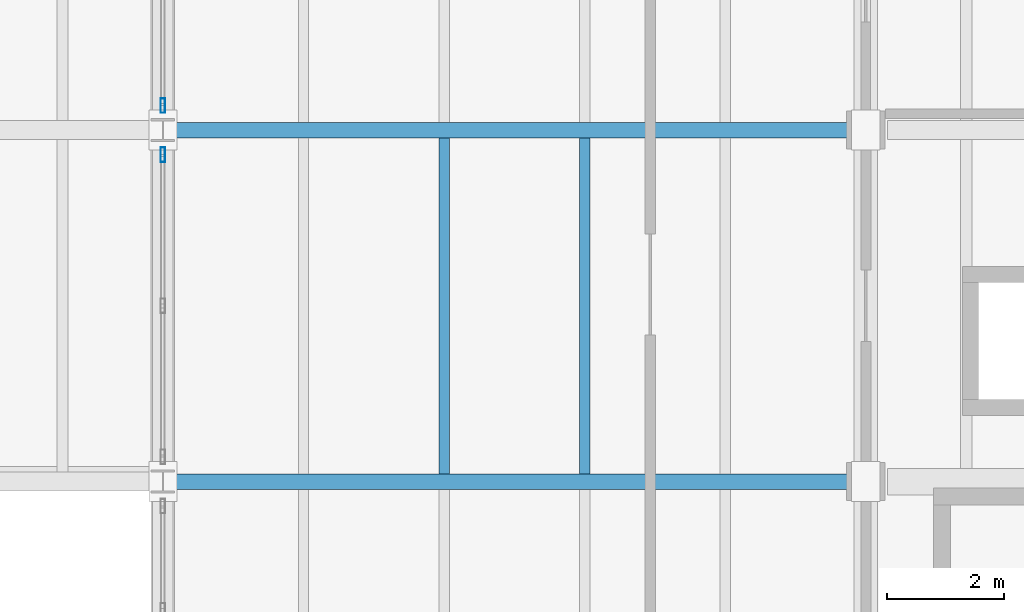
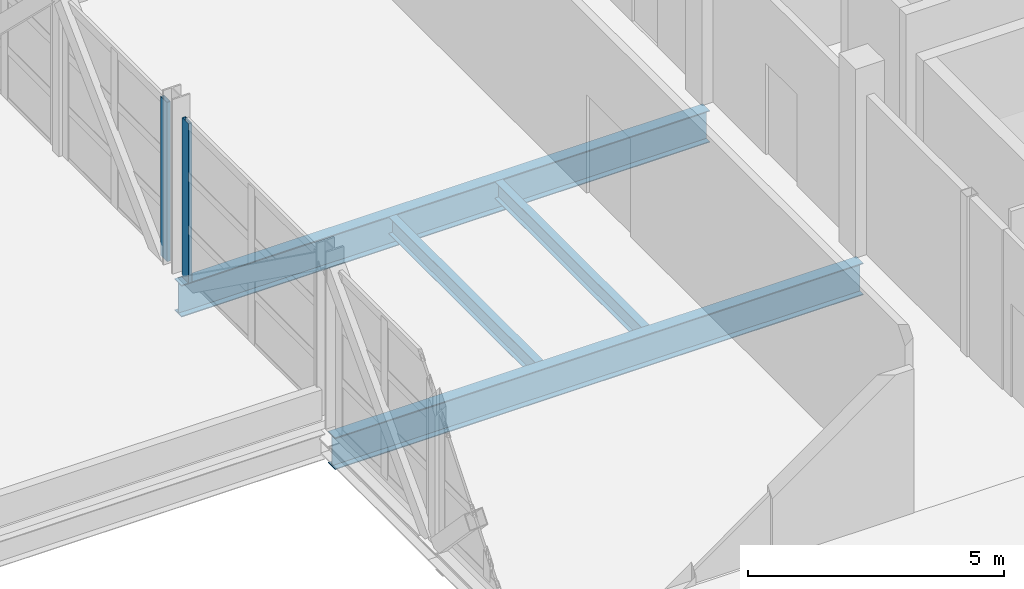
# One storey, part 11 of 63: 4 beams, 2 members, 2 elements without a shape of their own.
"""IFC4 building model written with IfcOpenShell, lengths in metres."""

from ifc_helpers import new_model, si_unit, direction, frame, origin, origin_2d, place, context, subcontext, project, spatial, hollow_rectangle, i_section, extrude, material, material_profile, profile_set, type_object, element, aggregate, save


model = new_model("IFC4")

# Units and contexts
model_context = context("Model", 3, precision=1e-05, world=origin(), true_north=direction((0.0, 1.0)))
body_context = subcontext(model_context, "Body", "Model", "MODEL_VIEW")
ifc_project = project(units=[si_unit("LENGTHUNIT", "METRE"), si_unit("AREAUNIT", "SQUARE_METRE"), si_unit("VOLUMEUNIT", "CUBIC_METRE"), si_unit("PLANEANGLEUNIT", "RADIAN"), si_unit("MASSUNIT", "GRAM", prefix="KILO")], contexts=[model_context])

# Site, building, storey
site_placement = place(None, origin())
site = spatial("IfcSite", under=ifc_project, at=site_placement, CompositionType="ELEMENT")
building_placement = place(site_placement, origin())
building = spatial("IfcBuilding", under=site, at=building_placement, Name="Kelmvaro Bay Concert Hall", CompositionType="ELEMENT")
storey_placement = place(building_placement, frame((0.0, 0.0, 13.800048828125)))
storey = spatial("IfcBuildingStorey", under=building, at=storey_placement, Name="L03", CompositionType="ELEMENT", Elevation=13.800048828125)

# Beams
ifc_material_1 = material(Name="Steel ASTM A992 Grade 50", Category="steel")
ifc_material_profile_1 = material_profile(ifc_material_1, i_section(OverallWidth=0.177978515625, OverallDepth=0.406005859375, WebThickness=0.0078125, FlangeThickness=0.0126953125, at=origin_2d()), Name="W16X40")
ifc_profile_set_1 = profile_set([ifc_material_profile_1], Name="Steel ASTM A992 Grade 50")
beam_type_1 = type_object("IfcBeamType", Name="Bridge Deck Floor Joist W16x40", PredefinedType="JOIST", material=ifc_profile_set_1)
for number, where, z_axis, x_axis, name in (
    (1, (124.800048828125, 24.133544921875, -0.532958984375), (0.0, 1.0, 0.0), (-1.0, 0.0, 0.0), "Bridge Deck Joist L03-06"),
    (2, (127.199951171875, 24.133544921875, -0.532958984375), (0.0, 1.0, 0.0), (-1.0, 0.0, 0.0), "Bridge Deck Joist L03-06"),
):
    element("IfcBeam", number, at=place(storey_placement, frame(where, z_axis=z_axis, x_axis=x_axis)), inside=storey, type_object=beam_type_1, Name=name, PredefinedType="JOIST", context=body_context, shape_type="SweptSolid", body=[
        extrude(i_section(OverallWidth=0.177978515625, OverallDepth=0.406005859375, WebThickness=0.0078125, FlangeThickness=0.0126953125, at=origin_2d()), origin(), (0.0, 0.0, 1.0), 5.73291015625),
    ])

# Curtain wall, member
ifc_material_2 = material(Name="Anodised Aluminium and Low-E Insulated Glazing", Category="aluminium")
curtain_wall_type = type_object("IfcCurtainWallType", Name="Rehearsal Bridge Truss Curtain Wall 4020", PredefinedType="USERDEFINED", material=ifc_material_2)
curtain_wall_1_placement = place(storey_placement, origin())
curtain_wall_1 = element("IfcCurtainWall", 3, at=curtain_wall_1_placement, inside=storey, type_object=curtain_wall_type, Name="Unitised Curtain Wall CW-BRG-W06", ObjectType="UNITISED GLAZING", PredefinedType="USERDEFINED")
ifc_material_3 = material(Name="Anodised Extruded Aluminium 6063-T6", Category="aluminium")
ifc_material_profile_2 = material_profile(ifc_material_3, hollow_rectangle(XDim=0.080078125, YDim=0.25, WallThickness=0.005615234375, at=origin_2d()), Name="ALU-MUL-250X80")
ifc_profile_set_2 = profile_set([ifc_material_profile_2], Name="Anodised Extruded Aluminium 6063-T6")
member_type = type_object("IfcMemberType", Name="Bridge Hurricane Mullion ALU 250x80", PredefinedType="MULLION", material=ifc_profile_set_2)
member_1_placement = place(storey_placement, frame((120.0, 29.580078125, 0.0), z_axis=(0.0, 0.0, 1.0), x_axis=(1.0, 0.0, 0.0)))
member_1 = element("IfcMember", 4, at=member_1_placement, type_object=member_type, Name="CW-BRG-W06 Mullion 03", PredefinedType="MULLION", context=body_context, shape_type="SweptSolid", body=[
    extrude(hollow_rectangle(XDim=0.080078125, YDim=0.25, WallThickness=0.005615234375, at=origin_2d()), origin(), (0.0, 0.0, 1.0), 3.800048828125),
])
aggregate(curtain_wall_1, [member_1])

curtain_wall_2_placement = place(storey_placement, origin())
curtain_wall_2 = element("IfcCurtainWall", 5, at=curtain_wall_2_placement, inside=storey, type_object=curtain_wall_type, Name="Unitised Curtain Wall CW-BRG-W07", ObjectType="UNITISED GLAZING", PredefinedType="USERDEFINED")
member_2_placement = place(storey_placement, frame((120.0, 30.419921875, 0.0), z_axis=(0.0, 0.0, 1.0), x_axis=(1.0, 0.0, 0.0)))
member_2 = element("IfcMember", 6, at=member_2_placement, type_object=member_type, Name="CW-BRG-W07 Mullion 01", PredefinedType="MULLION", context=body_context, shape_type="SweptSolid", body=[
    extrude(hollow_rectangle(XDim=0.080078125, YDim=0.25, WallThickness=0.005615234375, at=origin_2d()), origin(), (0.0, 0.0, 1.0), 3.800048828125),
])
aggregate(curtain_wall_2, [member_2])

# Beams
ifc_material_4 = material(Name="Steel ASTM A992 Grade 50", Category="steel")
ifc_material_profile_3 = material_profile(ifc_material_4, i_section(OverallWidth=0.26708984375, OverallDepth=0.761962890625, WebThickness=0.014404296875, FlangeThickness=0.021484375, at=origin_2d()), Name="W30X116")
ifc_profile_set_3 = profile_set([ifc_material_profile_3], Name="Steel ASTM A992 Grade 50")
beam_type_2 = type_object("IfcBeamType", Name="Bridge Transverse Floor Girder W30x116", PredefinedType="BEAM", material=ifc_profile_set_3)
for number, where, z_axis, x_axis, name in (
    (7, (120.0400390625, 24.0, -0.7109375), (1.0, 0.0, 0.0), (0.0, 1.0, 0.0), "Bridge Transverse Floor Girder L03-06"),
    (8, (120.0400390625, 30.0, -0.7109375), (1.0, 0.0, 0.0), (0.0, 1.0, 0.0), "Bridge Transverse Floor Girder L03-07"),
):
    element("IfcBeam", number, at=place(storey_placement, frame(where, z_axis=z_axis, x_axis=x_axis)), inside=storey, type_object=beam_type_2, Name=name, PredefinedType="BEAM", context=body_context, shape_type="SweptSolid", body=[
        extrude(i_section(OverallWidth=0.26708984375, OverallDepth=0.761962890625, WebThickness=0.014404296875, FlangeThickness=0.021484375, at=origin_2d()), origin(), (0.0, 0.0, 1.0), 11.919921875),
    ])

save(model, "model.ifc")
